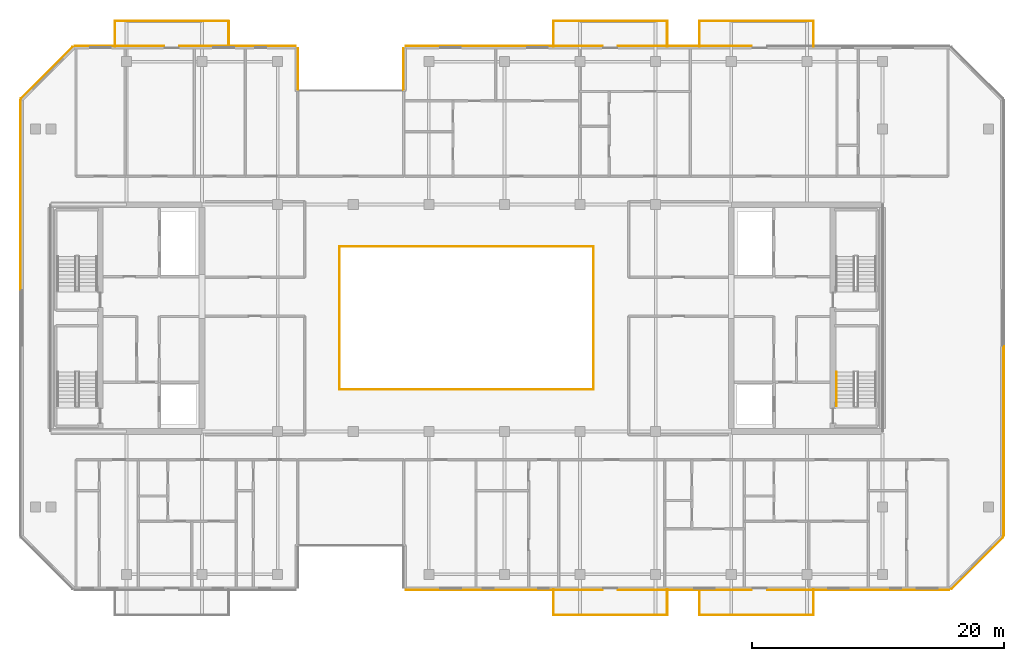
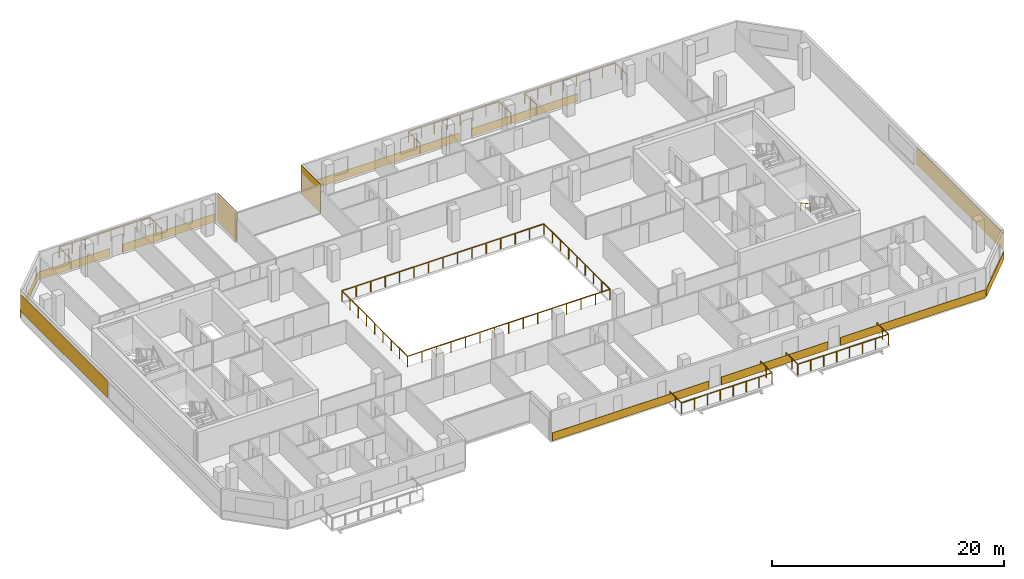
# One storey, part 15 of 16: 13 coverings, 8 railings.
"""IFC4 building model written with IfcOpenShell, lengths in metres."""

from ifc_helpers import new_model, si_unit, direction, frame, origin, origin_2d, place, context, subcontext, project, spatial, rectangle, extrude, material, layer, layer_set, type_object, element, save


model = new_model("IFC4")

# Units and contexts
model_context = context("Model", 3, precision=1e-05, world=origin(), true_north=direction((0.0, 1.0)))
body_context = subcontext(model_context, "Body", "Model", "MODEL_VIEW")
ifc_project = project(units=[si_unit("LENGTHUNIT", "METRE"), si_unit("AREAUNIT", "SQUARE_METRE"), si_unit("VOLUMEUNIT", "CUBIC_METRE"), si_unit("PLANEANGLEUNIT", "RADIAN"), si_unit("MASSUNIT", "GRAM", prefix="KILO")], contexts=[model_context])

# Site, building, storey
site_placement = place(None, origin())
site = spatial("IfcSite", under=ifc_project, at=site_placement, CompositionType="ELEMENT")
building_placement = place(site_placement, origin())
building = spatial("IfcBuilding", under=site, at=building_placement, Name="Tanjung Sevakor Pilgrim Tower", CompositionType="ELEMENT")
storey_placement = place(building_placement, frame((0.0, 0.0, 198.330078125)))
storey = spatial("IfcBuildingStorey", under=building, at=storey_placement, Name="L55", CompositionType="ELEMENT", Elevation=198.330078125)

# Coverings
ifc_material_1 = material(Name="Reconstructed Limestone Cladding", Category="masonry")
ifc_layer = layer(ifc_material_1, 0.044921875)
ifc_layer_set = layer_set([ifc_layer], Name="COV-CLAD-LIMESTONE")
covering_type = type_object("IfcCoveringType", Name="COV-CLAD-LIMESTONE", PredefinedType="CLADDING", material=ifc_layer_set)
covering_1_placement = place(storey_placement, frame((59.969970703125, 12.027587890625, 0.009765625), z_axis=(0.0, 0.0, 1.0), x_axis=(1.0, 0.0, 0.0)))
element("IfcCovering", 1, at=covering_1_placement, inside=storey, type_object=covering_type, Name="L55 Warm Limestone Sill Spandrel EW-L55-MAIN-5-1", PredefinedType="CLADDING", context=body_context, shape_type="SweptSolid", body=[
    extrude(rectangle(XDim=15.639892578125, YDim=0.044921875, at=origin_2d()), origin(), (0.0, 0.0, 1.0), 0.840087890625),
])
covering_2_placement = place(storey_placement, frame((74.324951171875, 12.027587890625, 0.009765625), z_axis=(0.0, 0.0, 1.0), x_axis=(1.0, 0.0, 0.0)))
element("IfcCovering", 2, at=covering_2_placement, inside=storey, type_object=covering_type, Name="L55 Warm Limestone Sill Spandrel EW-L55-MAIN-5-2", PredefinedType="CLADDING", context=body_context, shape_type="SweptSolid", body=[
    extrude(rectangle(XDim=10.6298828125, YDim=0.044921875, at=origin_2d()), origin(), (0.0, 0.0, 1.0), 0.840087890625),
])
covering_3_placement = place(storey_placement, frame((88.087158203125, 12.027587890625, 0.009765625), z_axis=(0.0, 0.0, 1.0), x_axis=(1.0, 0.0, 0.0)))
element("IfcCovering", 3, at=covering_3_placement, inside=storey, type_object=covering_type, Name="L55 Warm Limestone Sill Spandrel EW-L55-MAIN-5-3", PredefinedType="CLADDING", context=body_context, shape_type="SweptSolid", body=[
    extrude(rectangle(XDim=14.454345703125, YDim=0.044921875, at=origin_2d()), origin(), (0.0, 0.0, 1.0), 0.840087890625),
])
covering_4_placement = place(storey_placement, frame((97.515869140625, 14.134033203125, 0.009765625), z_axis=(0.0, 0.0, 1.0), x_axis=(0.707106781187, 0.707106781187, 0.0)))
element("IfcCovering", 4, at=covering_4_placement, inside=storey, type_object=covering_type, Name="L55 Warm Limestone Sill Spandrel EW-CHM-L55-MAIN-5-1", PredefinedType="CLADDING", context=body_context, shape_type="SweptSolid", body=[
    extrude(rectangle(XDim=5.7685546875, YDim=0.044921875, at=origin_2d()), origin(), (0.0, 0.0, 1.0), 0.840087890625),
])
covering_5_placement = place(storey_placement, frame((99.62255859375, 23.8427734375, 0.849853515625), z_axis=(0.0, 0.0, 1.0), x_axis=(0.0, 1.0, 0.0)))
element("IfcCovering", 5, at=covering_5_placement, inside=storey, type_object=covering_type, Name="L55 Warm Limestone Pier Panel EW-L55-MAIN-7-1", PredefinedType="CLADDING", context=body_context, shape_type="SweptSolid", body=[
    extrude(rectangle(XDim=15.014404296875, YDim=0.044921875, at=origin_2d()), origin(), (0.0, 0.0, 1.0), 1.81005859375),
])
covering_6_placement = place(storey_placement, frame((74.324951171875, 55.172607421875, 0.009765625), z_axis=(0.0, 0.0, 1.0), x_axis=(-1.0, 0.0, 0.0)))
element("IfcCovering", 6, at=covering_6_placement, inside=storey, type_object=covering_type, Name="L55 Warm Limestone Sill Spandrel EW-L55-MAIN-9-2", PredefinedType="CLADDING", context=body_context, shape_type="SweptSolid", body=[
    extrude(rectangle(XDim=10.6298828125, YDim=0.044921875, at=origin_2d()), origin(), (0.0, 0.0, 1.0), 0.840087890625),
])
covering_7_placement = place(storey_placement, frame((59.969970703125, 55.172607421875, 0.009765625), z_axis=(0.0, 0.0, 1.0), x_axis=(-1.0, 0.0, 0.0)))
element("IfcCovering", 7, at=covering_7_placement, inside=storey, type_object=covering_type, Name="L55 Warm Limestone Sill Spandrel EW-L55-MAIN-9-3", PredefinedType="CLADDING", context=body_context, shape_type="SweptSolid", body=[
    extrude(rectangle(XDim=15.639892578125, YDim=0.044921875, at=origin_2d()), origin(), (0.0, 0.0, 1.0), 0.840087890625),
])
for number, where, z_axis, x_axis, name in (
    (8, (51.9775390625, 53.340087890625, 0.02001953125), (0.0, 0.0, 1.0), (0.0, -1.0, 0.0), "L55 Warm Limestone Wall Cladding EW-L55-MAIN-10"),
    (9, (43.62255859375, 53.340087890625, 0.02001953125), (0.0, 0.0, 1.0), (0.0, 1.0, 0.0), "L55 Warm Limestone Wall Cladding EW-L55-MAIN-12"),
):
    element("IfcCovering", number, at=place(storey_placement, frame(where, z_axis=z_axis, x_axis=x_axis)), inside=storey, type_object=covering_type, Name=name, PredefinedType="CLADDING", context=body_context, shape_type="SweptSolid", body=[
        extrude(rectangle(XDim=3.360107421875, YDim=0.044921875, at=origin_2d()), origin(), (0.0, 0.0, 1.0), 3.0400390625),
    ])
covering_8_placement = place(storey_placement, frame((38.830078125, 55.172607421875, 0.009765625), z_axis=(0.0, 0.0, 1.0), x_axis=(-1.0, 0.0, 0.0)))
element("IfcCovering", 10, at=covering_8_placement, inside=storey, type_object=covering_type, Name="L55 Warm Limestone Sill Spandrel EW-L55-MAIN-13-1", PredefinedType="CLADDING", context=body_context, shape_type="SweptSolid", body=[
    extrude(rectangle(XDim=9.239990234375, YDim=0.044921875, at=origin_2d()), origin(), (0.0, 0.0, 1.0), 0.840087890625),
])
covering_9_placement = place(storey_placement, frame((29.437744140625, 55.172607421875, 0.009765625), z_axis=(0.0, 0.0, 1.0), x_axis=(-1.0, 0.0, 0.0)))
element("IfcCovering", 11, at=covering_9_placement, inside=storey, type_object=covering_type, Name="L55 Warm Limestone Sill Spandrel EW-L55-MAIN-13-2", PredefinedType="CLADDING", context=body_context, shape_type="SweptSolid", body=[
    extrude(rectangle(XDim=7.1044921875, YDim=0.044921875, at=origin_2d()), origin(), (0.0, 0.0, 1.0), 0.840087890625),
])
covering_10_placement = place(storey_placement, frame((23.68408203125, 53.06591796875, 0.009765625), z_axis=(0.0, 0.0, 1.0), x_axis=(-0.707106781187, -0.707106781187, 0.0)))
element("IfcCovering", 12, at=covering_10_placement, inside=storey, type_object=covering_type, Name="L55 Warm Limestone Sill Spandrel EW-CHM-L55-MAIN-13-1", PredefinedType="CLADDING", context=body_context, shape_type="SweptSolid", body=[
    extrude(rectangle(XDim=5.7685546875, YDim=0.044921875, at=origin_2d()), origin(), (0.0, 0.0, 1.0), 0.840087890625),
])
covering_11_placement = place(storey_placement, frame((21.577392578125, 43.357177734375, 0.849853515625), z_axis=(0.0, 0.0, 1.0), x_axis=(0.0, -1.0, 0.0)))
element("IfcCovering", 13, at=covering_11_placement, inside=storey, type_object=covering_type, Name="L55 Warm Limestone Pier Panel EW-L55-MAIN-15-1", PredefinedType="CLADDING", context=body_context, shape_type="SweptSolid", body=[
    extrude(rectangle(XDim=15.014404296875, YDim=0.044921875, at=origin_2d()), origin(), (0.0, 0.0, 1.0), 1.81005859375),
])

# Railings
ifc_material_2 = material(Name="Laminated Glass and Aluminium", Category="aluminium")
railing_type_1 = type_object("IfcRailingType", Name="RL-BAL-BALUST", PredefinedType="BALUSTRADE", material=ifc_material_2)
railing_1_placement = place(storey_placement, frame((46.919921875, 27.919921875, 0.0)))
element("IfcRailing", 14, at=railing_1_placement, inside=storey, type_object=railing_type_1, Name="L55 Void Opening Balustrade 1A", PredefinedType="BALUSTRADE", context=body_context, shape_type="SweptSolid", body=[
    extrude(rectangle(XDim=0.0479, YDim=0.0479), frame((0.0, 0.0, 1.1259765625), z_axis=(1.0, 0.0, 0.0), x_axis=(0.0, 1.0, 0.0)), (0.0, 0.0, 1.0), 20.16015625),
    extrude(rectangle(XDim=0.0479, YDim=0.0479), frame((20.16015625, 0.0, 1.1259765625), z_axis=(0.0, 1.0, 0.0), x_axis=(-1.0, 0.0, 0.0)), (0.0, 0.0, 1.0), 11.360107421875),
    extrude(rectangle(XDim=0.042, YDim=0.042), origin(), (0.0, 0.0, 1.0), 1.101806640625),
    extrude(rectangle(XDim=0.042, YDim=0.042), frame((1.43994140625, 0.0, 0.0)), (0.0, 0.0, 1.0), 1.101806640625),
    extrude(rectangle(XDim=0.042, YDim=0.042), frame((2.880126953125, 0.0, 0.0)), (0.0, 0.0, 1.0), 1.101806640625),
    extrude(rectangle(XDim=0.042, YDim=0.042), frame((4.320068359375, 0.0, 0.0)), (0.0, 0.0, 1.0), 1.101806640625),
    extrude(rectangle(XDim=0.042, YDim=0.042), frame((5.760009765625, 0.0, 0.0)), (0.0, 0.0, 1.0), 1.101806640625),
    extrude(rectangle(XDim=0.042, YDim=0.042), frame((7.199951171875, 0.0, 0.0)), (0.0, 0.0, 1.0), 1.101806640625),
    extrude(rectangle(XDim=0.042, YDim=0.042), frame((8.64013671875, 0.0, 0.0)), (0.0, 0.0, 1.0), 1.101806640625),
    extrude(rectangle(XDim=0.042, YDim=0.042), frame((10.080078125, 0.0, 0.0)), (0.0, 0.0, 1.0), 1.101806640625),
    extrude(rectangle(XDim=0.042, YDim=0.042), frame((11.52001953125, 0.0, 0.0)), (0.0, 0.0, 1.0), 1.101806640625),
    extrude(rectangle(XDim=0.042, YDim=0.042), frame((12.960205078125, 0.0, 0.0)), (0.0, 0.0, 1.0), 1.101806640625),
    extrude(rectangle(XDim=0.042, YDim=0.042), frame((14.400146484375, 0.0, 0.0)), (0.0, 0.0, 1.0), 1.101806640625),
    extrude(rectangle(XDim=0.042, YDim=0.042), frame((15.840087890625, 0.0, 0.0)), (0.0, 0.0, 1.0), 1.101806640625),
    extrude(rectangle(XDim=0.042, YDim=0.042), frame((17.280029296875, 0.0, 0.0)), (0.0, 0.0, 1.0), 1.101806640625),
    extrude(rectangle(XDim=0.042, YDim=0.042), frame((18.72021484375, 0.0, 0.0)), (0.0, 0.0, 1.0), 1.101806640625),
    extrude(rectangle(XDim=0.042, YDim=0.042), frame((20.16015625, 0.0, 0.0)), (0.0, 0.0, 1.0), 1.101806640625),
    extrude(rectangle(XDim=0.042, YDim=0.042), frame((20.16015625, 1.419921875, 0.0)), (0.0, 0.0, 1.0), 1.101806640625),
    extrude(rectangle(XDim=0.042, YDim=0.042), frame((20.16015625, 2.840087890625, 0.0)), (0.0, 0.0, 1.0), 1.101806640625),
    extrude(rectangle(XDim=0.042, YDim=0.042), frame((20.16015625, 4.260009765625, 0.0)), (0.0, 0.0, 1.0), 1.101806640625),
    extrude(rectangle(XDim=0.042, YDim=0.042), frame((20.16015625, 5.68017578125, 0.0)), (0.0, 0.0, 1.0), 1.101806640625),
    extrude(rectangle(XDim=0.042, YDim=0.042), frame((20.16015625, 7.10009765625, 0.0)), (0.0, 0.0, 1.0), 1.101806640625),
    extrude(rectangle(XDim=0.042, YDim=0.042), frame((20.16015625, 8.52001953125, 0.0)), (0.0, 0.0, 1.0), 1.101806640625),
    extrude(rectangle(XDim=0.042, YDim=0.042), frame((20.16015625, 9.940185546875, 0.0)), (0.0, 0.0, 1.0), 1.101806640625),
    extrude(rectangle(XDim=0.042, YDim=0.042), frame((20.16015625, 11.360107421875, 0.0)), (0.0, 0.0, 1.0), 1.101806640625),
])
railing_2_placement = place(storey_placement, frame((67.080078125, 39.280029296875, 0.0)))
element("IfcRailing", 15, at=railing_2_placement, inside=storey, type_object=railing_type_1, Name="L55 Void Opening Balustrade 1B", PredefinedType="BALUSTRADE", context=body_context, shape_type="SweptSolid", body=[
    extrude(rectangle(XDim=0.0479, YDim=0.0479), frame((0.0, 0.0, 1.1259765625), z_axis=(-1.0, 0.0, 0.0), x_axis=(0.0, -1.0, 0.0)), (0.0, 0.0, 1.0), 20.16015625),
    extrude(rectangle(XDim=0.0479, YDim=0.0479), frame((-20.16015625, 0.0, 1.1259765625), z_axis=(0.0, -1.0, 0.0), x_axis=(1.0, 0.0, 0.0)), (0.0, 0.0, 1.0), 11.360107421875),
    extrude(rectangle(XDim=0.042, YDim=0.042), origin(), (0.0, 0.0, 1.0), 1.101806640625),
    extrude(rectangle(XDim=0.042, YDim=0.042), frame((-1.43994140625, 0.0, 0.0)), (0.0, 0.0, 1.0), 1.101806640625),
    extrude(rectangle(XDim=0.042, YDim=0.042), frame((-2.880126953125, 0.0, 0.0)), (0.0, 0.0, 1.0), 1.101806640625),
    extrude(rectangle(XDim=0.042, YDim=0.042), frame((-4.320068359375, 0.0, 0.0)), (0.0, 0.0, 1.0), 1.101806640625),
    extrude(rectangle(XDim=0.042, YDim=0.042), frame((-5.760009765625, 0.0, 0.0)), (0.0, 0.0, 1.0), 1.101806640625),
    extrude(rectangle(XDim=0.042, YDim=0.042), frame((-7.199951171875, 0.0, 0.0)), (0.0, 0.0, 1.0), 1.101806640625),
    extrude(rectangle(XDim=0.042, YDim=0.042), frame((-8.64013671875, 0.0, 0.0)), (0.0, 0.0, 1.0), 1.101806640625),
    extrude(rectangle(XDim=0.042, YDim=0.042), frame((-10.080078125, 0.0, 0.0)), (0.0, 0.0, 1.0), 1.101806640625),
    extrude(rectangle(XDim=0.042, YDim=0.042), frame((-11.52001953125, 0.0, 0.0)), (0.0, 0.0, 1.0), 1.101806640625),
    extrude(rectangle(XDim=0.042, YDim=0.042), frame((-12.960205078125, 0.0, 0.0)), (0.0, 0.0, 1.0), 1.101806640625),
    extrude(rectangle(XDim=0.042, YDim=0.042), frame((-14.400146484375, 0.0, 0.0)), (0.0, 0.0, 1.0), 1.101806640625),
    extrude(rectangle(XDim=0.042, YDim=0.042), frame((-15.840087890625, 0.0, 0.0)), (0.0, 0.0, 1.0), 1.101806640625),
    extrude(rectangle(XDim=0.042, YDim=0.042), frame((-17.280029296875, 0.0, 0.0)), (0.0, 0.0, 1.0), 1.101806640625),
    extrude(rectangle(XDim=0.042, YDim=0.042), frame((-18.72021484375, 0.0, 0.0)), (0.0, 0.0, 1.0), 1.101806640625),
    extrude(rectangle(XDim=0.042, YDim=0.042), frame((-20.16015625, 0.0, 0.0)), (0.0, 0.0, 1.0), 1.101806640625),
    extrude(rectangle(XDim=0.042, YDim=0.042), frame((-20.16015625, -1.419921875, 0.0)), (0.0, 0.0, 1.0), 1.101806640625),
    extrude(rectangle(XDim=0.042, YDim=0.042), frame((-20.16015625, -2.840087890625, 0.0)), (0.0, 0.0, 1.0), 1.101806640625),
    extrude(rectangle(XDim=0.042, YDim=0.042), frame((-20.16015625, -4.260009765625, 0.0)), (0.0, 0.0, 1.0), 1.101806640625),
    extrude(rectangle(XDim=0.042, YDim=0.042), frame((-20.16015625, -5.68017578125, 0.0)), (0.0, 0.0, 1.0), 1.101806640625),
    extrude(rectangle(XDim=0.042, YDim=0.042), frame((-20.16015625, -7.10009765625, 0.0)), (0.0, 0.0, 1.0), 1.101806640625),
    extrude(rectangle(XDim=0.042, YDim=0.042), frame((-20.16015625, -8.52001953125, 0.0)), (0.0, 0.0, 1.0), 1.101806640625),
    extrude(rectangle(XDim=0.042, YDim=0.042), frame((-20.16015625, -9.940185546875, 0.0)), (0.0, 0.0, 1.0), 1.101806640625),
    extrude(rectangle(XDim=0.042, YDim=0.042), frame((-20.16015625, -11.360107421875, 0.0)), (0.0, 0.0, 1.0), 1.101806640625),
])
railing_3_placement = place(storey_placement, frame((29.080078125, 55.14990234375, 0.0)))
element("IfcRailing", 16, at=railing_3_placement, inside=storey, type_object=railing_type_1, Name="L55 Loggia Balustrade MAIN-N1", PredefinedType="BALUSTRADE", context=body_context, shape_type="SweptSolid", body=[
    extrude(rectangle(XDim=0.0479, YDim=0.0479), frame((0.0, 0.0, 1.1259765625), z_axis=(0.0, 1.0, 0.0), x_axis=(-1.0, 0.0, 0.0)), (0.0, 0.0, 1.0), 2.02001953125),
    extrude(rectangle(XDim=0.0479, YDim=0.0479), frame((0.0, 2.02001953125, 1.1259765625), z_axis=(1.0, 0.0, 0.0), x_axis=(0.0, 1.0, 0.0)), (0.0, 0.0, 1.0), 9.0400390625),
    extrude(rectangle(XDim=0.0479, YDim=0.0479), frame((9.0400390625, 2.02001953125, 1.1259765625), z_axis=(0.0, -1.0, 0.0), x_axis=(1.0, 0.0, 0.0)), (0.0, 0.0, 1.0), 2.02001953125),
    extrude(rectangle(XDim=0.042, YDim=0.042), origin(), (0.0, 0.0, 1.0), 1.101806640625),
    extrude(rectangle(XDim=0.042, YDim=0.042), frame((0.0, 1.010009765625, 0.0)), (0.0, 0.0, 1.0), 1.101806640625),
    extrude(rectangle(XDim=0.042, YDim=0.042), frame((0.0, 2.02001953125, 0.0)), (0.0, 0.0, 1.0), 1.101806640625),
    extrude(rectangle(XDim=0.042, YDim=0.042), frame((1.29150390625, 2.02001953125, 0.0)), (0.0, 0.0, 1.0), 1.101806640625),
    extrude(rectangle(XDim=0.042, YDim=0.042), frame((2.582763671875, 2.02001953125, 0.0)), (0.0, 0.0, 1.0), 1.101806640625),
    extrude(rectangle(XDim=0.042, YDim=0.042), frame((3.874267578125, 2.02001953125, 0.0)), (0.0, 0.0, 1.0), 1.101806640625),
    extrude(rectangle(XDim=0.042, YDim=0.042), frame((5.165771484375, 2.02001953125, 0.0)), (0.0, 0.0, 1.0), 1.101806640625),
    extrude(rectangle(XDim=0.042, YDim=0.042), frame((6.457275390625, 2.02001953125, 0.0)), (0.0, 0.0, 1.0), 1.101806640625),
    extrude(rectangle(XDim=0.042, YDim=0.042), frame((7.74853515625, 2.02001953125, 0.0)), (0.0, 0.0, 1.0), 1.101806640625),
    extrude(rectangle(XDim=0.042, YDim=0.042), frame((9.0400390625, 2.02001953125, 0.0)), (0.0, 0.0, 1.0), 1.101806640625),
    extrude(rectangle(XDim=0.042, YDim=0.042), frame((9.0400390625, 1.010009765625, 0.0)), (0.0, 0.0, 1.0), 1.101806640625),
    extrude(rectangle(XDim=0.042, YDim=0.042), frame((9.0400390625, 0.0, 0.0)), (0.0, 0.0, 1.0), 1.101806640625),
])
railing_4_placement = place(storey_placement, frame((63.8798828125, 12.050048828125, 0.0)))
element("IfcRailing", 17, at=railing_4_placement, inside=storey, type_object=railing_type_1, Name="L55 Loggia Balustrade MAIN-S2", PredefinedType="BALUSTRADE", context=body_context, shape_type="SweptSolid", body=[
    extrude(rectangle(XDim=0.0479, YDim=0.0479), frame((0.0, 0.0, 1.1259765625), z_axis=(0.0, -1.0, 0.0), x_axis=(1.0, 0.0, 0.0)), (0.0, 0.0, 1.0), 2.02001953125),
    extrude(rectangle(XDim=0.0479, YDim=0.0479), frame((0.0, -2.02001953125, 1.1259765625), z_axis=(1.0, 0.0, 0.0), x_axis=(0.0, 1.0, 0.0)), (0.0, 0.0, 1.0), 9.0400390625),
    extrude(rectangle(XDim=0.0479, YDim=0.0479), frame((9.0400390625, -2.02001953125, 1.1259765625), z_axis=(0.0, 1.0, 0.0), x_axis=(-1.0, 0.0, 0.0)), (0.0, 0.0, 1.0), 2.02001953125),
    extrude(rectangle(XDim=0.042, YDim=0.042), origin(), (0.0, 0.0, 1.0), 1.101806640625),
    extrude(rectangle(XDim=0.042, YDim=0.042), frame((0.0, -1.010009765625, 0.0)), (0.0, 0.0, 1.0), 1.101806640625),
    extrude(rectangle(XDim=0.042, YDim=0.042), frame((0.0, -2.02001953125, 0.0)), (0.0, 0.0, 1.0), 1.101806640625),
    extrude(rectangle(XDim=0.042, YDim=0.042), frame((1.29150390625, -2.02001953125, 0.0)), (0.0, 0.0, 1.0), 1.101806640625),
    extrude(rectangle(XDim=0.042, YDim=0.042), frame((2.582763671875, -2.02001953125, 0.0)), (0.0, 0.0, 1.0), 1.101806640625),
    extrude(rectangle(XDim=0.042, YDim=0.042), frame((3.874267578125, -2.02001953125, 0.0)), (0.0, 0.0, 1.0), 1.101806640625),
    extrude(rectangle(XDim=0.042, YDim=0.042), frame((5.165771484375, -2.02001953125, 0.0)), (0.0, 0.0, 1.0), 1.101806640625),
    extrude(rectangle(XDim=0.042, YDim=0.042), frame((6.457275390625, -2.02001953125, 0.0)), (0.0, 0.0, 1.0), 1.101806640625),
    extrude(rectangle(XDim=0.042, YDim=0.042), frame((7.74853515625, -2.02001953125, 0.0)), (0.0, 0.0, 1.0), 1.101806640625),
    extrude(rectangle(XDim=0.042, YDim=0.042), frame((9.0400390625, -2.02001953125, 0.0)), (0.0, 0.0, 1.0), 1.101806640625),
    extrude(rectangle(XDim=0.042, YDim=0.042), frame((9.0400390625, -1.010009765625, 0.0)), (0.0, 0.0, 1.0), 1.101806640625),
    extrude(rectangle(XDim=0.042, YDim=0.042), frame((9.0400390625, 0.0, 0.0)), (0.0, 0.0, 1.0), 1.101806640625),
])
railing_5_placement = place(storey_placement, frame((63.8798828125, 55.14990234375, 0.0)))
element("IfcRailing", 18, at=railing_5_placement, inside=storey, type_object=railing_type_1, Name="L55 Loggia Balustrade MAIN-N2", PredefinedType="BALUSTRADE", context=body_context, shape_type="SweptSolid", body=[
    extrude(rectangle(XDim=0.0479, YDim=0.0479), frame((0.0, 0.0, 1.1259765625), z_axis=(0.0, 1.0, 0.0), x_axis=(-1.0, 0.0, 0.0)), (0.0, 0.0, 1.0), 2.02001953125),
    extrude(rectangle(XDim=0.0479, YDim=0.0479), frame((0.0, 2.02001953125, 1.1259765625), z_axis=(1.0, 0.0, 0.0), x_axis=(0.0, 1.0, 0.0)), (0.0, 0.0, 1.0), 9.0400390625),
    extrude(rectangle(XDim=0.0479, YDim=0.0479), frame((9.0400390625, 2.02001953125, 1.1259765625), z_axis=(0.0, -1.0, 0.0), x_axis=(1.0, 0.0, 0.0)), (0.0, 0.0, 1.0), 2.02001953125),
    extrude(rectangle(XDim=0.042, YDim=0.042), origin(), (0.0, 0.0, 1.0), 1.101806640625),
    extrude(rectangle(XDim=0.042, YDim=0.042), frame((0.0, 1.010009765625, 0.0)), (0.0, 0.0, 1.0), 1.101806640625),
    extrude(rectangle(XDim=0.042, YDim=0.042), frame((0.0, 2.02001953125, 0.0)), (0.0, 0.0, 1.0), 1.101806640625),
    extrude(rectangle(XDim=0.042, YDim=0.042), frame((1.29150390625, 2.02001953125, 0.0)), (0.0, 0.0, 1.0), 1.101806640625),
    extrude(rectangle(XDim=0.042, YDim=0.042), frame((2.582763671875, 2.02001953125, 0.0)), (0.0, 0.0, 1.0), 1.101806640625),
    extrude(rectangle(XDim=0.042, YDim=0.042), frame((3.874267578125, 2.02001953125, 0.0)), (0.0, 0.0, 1.0), 1.101806640625),
    extrude(rectangle(XDim=0.042, YDim=0.042), frame((5.165771484375, 2.02001953125, 0.0)), (0.0, 0.0, 1.0), 1.101806640625),
    extrude(rectangle(XDim=0.042, YDim=0.042), frame((6.457275390625, 2.02001953125, 0.0)), (0.0, 0.0, 1.0), 1.101806640625),
    extrude(rectangle(XDim=0.042, YDim=0.042), frame((7.74853515625, 2.02001953125, 0.0)), (0.0, 0.0, 1.0), 1.101806640625),
    extrude(rectangle(XDim=0.042, YDim=0.042), frame((9.0400390625, 2.02001953125, 0.0)), (0.0, 0.0, 1.0), 1.101806640625),
    extrude(rectangle(XDim=0.042, YDim=0.042), frame((9.0400390625, 1.010009765625, 0.0)), (0.0, 0.0, 1.0), 1.101806640625),
    extrude(rectangle(XDim=0.042, YDim=0.042), frame((9.0400390625, 0.0, 0.0)), (0.0, 0.0, 1.0), 1.101806640625),
])
railing_6_placement = place(storey_placement, frame((75.47998046875, 12.050048828125, 0.0)))
element("IfcRailing", 19, at=railing_6_placement, inside=storey, type_object=railing_type_1, Name="L55 Loggia Balustrade MAIN-S3", PredefinedType="BALUSTRADE", context=body_context, shape_type="SweptSolid", body=[
    extrude(rectangle(XDim=0.0479, YDim=0.0479), frame((0.0, 0.0, 1.1259765625), z_axis=(0.0, -1.0, 0.0), x_axis=(1.0, 0.0, 0.0)), (0.0, 0.0, 1.0), 2.02001953125),
    extrude(rectangle(XDim=0.0479, YDim=0.0479), frame((0.0, -2.02001953125, 1.1259765625), z_axis=(1.0, 0.0, 0.0), x_axis=(0.0, 1.0, 0.0)), (0.0, 0.0, 1.0), 9.0400390625),
    extrude(rectangle(XDim=0.0479, YDim=0.0479), frame((9.0400390625, -2.02001953125, 1.1259765625), z_axis=(0.0, 1.0, 0.0), x_axis=(-1.0, 0.0, 0.0)), (0.0, 0.0, 1.0), 2.02001953125),
    extrude(rectangle(XDim=0.042, YDim=0.042), origin(), (0.0, 0.0, 1.0), 1.101806640625),
    extrude(rectangle(XDim=0.042, YDim=0.042), frame((0.0, -1.010009765625, 0.0)), (0.0, 0.0, 1.0), 1.101806640625),
    extrude(rectangle(XDim=0.042, YDim=0.042), frame((0.0, -2.02001953125, 0.0)), (0.0, 0.0, 1.0), 1.101806640625),
    extrude(rectangle(XDim=0.042, YDim=0.042), frame((1.29150390625, -2.02001953125, 0.0)), (0.0, 0.0, 1.0), 1.101806640625),
    extrude(rectangle(XDim=0.042, YDim=0.042), frame((2.582763671875, -2.02001953125, 0.0)), (0.0, 0.0, 1.0), 1.101806640625),
    extrude(rectangle(XDim=0.042, YDim=0.042), frame((3.874267578125, -2.02001953125, 0.0)), (0.0, 0.0, 1.0), 1.101806640625),
    extrude(rectangle(XDim=0.042, YDim=0.042), frame((5.165771484375, -2.02001953125, 0.0)), (0.0, 0.0, 1.0), 1.101806640625),
    extrude(rectangle(XDim=0.042, YDim=0.042), frame((6.457275390625, -2.02001953125, 0.0)), (0.0, 0.0, 1.0), 1.101806640625),
    extrude(rectangle(XDim=0.042, YDim=0.042), frame((7.74853515625, -2.02001953125, 0.0)), (0.0, 0.0, 1.0), 1.101806640625),
    extrude(rectangle(XDim=0.042, YDim=0.042), frame((9.0400390625, -2.02001953125, 0.0)), (0.0, 0.0, 1.0), 1.101806640625),
    extrude(rectangle(XDim=0.042, YDim=0.042), frame((9.0400390625, -1.010009765625, 0.0)), (0.0, 0.0, 1.0), 1.101806640625),
    extrude(rectangle(XDim=0.042, YDim=0.042), frame((9.0400390625, 0.0, 0.0)), (0.0, 0.0, 1.0), 1.101806640625),
])
railing_7_placement = place(storey_placement, frame((75.47998046875, 55.14990234375, 0.0)))
element("IfcRailing", 20, at=railing_7_placement, inside=storey, type_object=railing_type_1, Name="L55 Loggia Balustrade MAIN-N3", PredefinedType="BALUSTRADE", context=body_context, shape_type="SweptSolid", body=[
    extrude(rectangle(XDim=0.0479, YDim=0.0479), frame((0.0, 0.0, 1.1259765625), z_axis=(0.0, 1.0, 0.0), x_axis=(-1.0, 0.0, 0.0)), (0.0, 0.0, 1.0), 2.02001953125),
    extrude(rectangle(XDim=0.0479, YDim=0.0479), frame((0.0, 2.02001953125, 1.1259765625), z_axis=(1.0, 0.0, 0.0), x_axis=(0.0, 1.0, 0.0)), (0.0, 0.0, 1.0), 9.0400390625),
    extrude(rectangle(XDim=0.0479, YDim=0.0479), frame((9.0400390625, 2.02001953125, 1.1259765625), z_axis=(0.0, -1.0, 0.0), x_axis=(1.0, 0.0, 0.0)), (0.0, 0.0, 1.0), 2.02001953125),
    extrude(rectangle(XDim=0.042, YDim=0.042), origin(), (0.0, 0.0, 1.0), 1.101806640625),
    extrude(rectangle(XDim=0.042, YDim=0.042), frame((0.0, 1.010009765625, 0.0)), (0.0, 0.0, 1.0), 1.101806640625),
    extrude(rectangle(XDim=0.042, YDim=0.042), frame((0.0, 2.02001953125, 0.0)), (0.0, 0.0, 1.0), 1.101806640625),
    extrude(rectangle(XDim=0.042, YDim=0.042), frame((1.29150390625, 2.02001953125, 0.0)), (0.0, 0.0, 1.0), 1.101806640625),
    extrude(rectangle(XDim=0.042, YDim=0.042), frame((2.582763671875, 2.02001953125, 0.0)), (0.0, 0.0, 1.0), 1.101806640625),
    extrude(rectangle(XDim=0.042, YDim=0.042), frame((3.874267578125, 2.02001953125, 0.0)), (0.0, 0.0, 1.0), 1.101806640625),
    extrude(rectangle(XDim=0.042, YDim=0.042), frame((5.165771484375, 2.02001953125, 0.0)), (0.0, 0.0, 1.0), 1.101806640625),
    extrude(rectangle(XDim=0.042, YDim=0.042), frame((6.457275390625, 2.02001953125, 0.0)), (0.0, 0.0, 1.0), 1.101806640625),
    extrude(rectangle(XDim=0.042, YDim=0.042), frame((7.74853515625, 2.02001953125, 0.0)), (0.0, 0.0, 1.0), 1.101806640625),
    extrude(rectangle(XDim=0.042, YDim=0.042), frame((9.0400390625, 2.02001953125, 0.0)), (0.0, 0.0, 1.0), 1.101806640625),
    extrude(rectangle(XDim=0.042, YDim=0.042), frame((9.0400390625, 1.010009765625, 0.0)), (0.0, 0.0, 1.0), 1.101806640625),
    extrude(rectangle(XDim=0.042, YDim=0.042), frame((9.0400390625, 0.0, 0.0)), (0.0, 0.0, 1.0), 1.101806640625),
])
ifc_material_3 = material(Name="Steel S355J2", Category="steel")
railing_type_2 = type_object("IfcRailingType", Name="RL-STAIR-HAND", PredefinedType="HANDRAIL", material=ifc_material_3)
railing_8_placement = place(storey_placement, frame((86.35009765625, 29.300048828125, 1.81494140625)))
element("IfcRailing", 21, at=railing_8_placement, inside=storey, type_object=railing_type_2, Name="L55 TS-E1 stair handrail 2", PredefinedType="HANDRAIL", context=body_context, shape_type="SweptSolid", body=[
    extrude(rectangle(XDim=0.0479, YDim=0.0479), frame((0.0, 0.0, 0.8759765625), z_axis=(0.0, -0.876230963923, 0.481891375584), x_axis=(1.0, 0.0, 0.0)), (0.0, 0.0, 1.0), 3.081298828125),
    extrude(rectangle(XDim=0.042, YDim=0.042), origin(), (0.0, 0.0, 1.0), 0.851806640625),
    extrude(rectangle(XDim=0.042, YDim=0.042), frame((0.0, -0.89990234375, 0.494873046875)), (0.0, 0.0, 1.0), 0.851806640625),
    extrude(rectangle(XDim=0.042, YDim=0.042), frame((0.0, -1.800048828125, 0.989990234375)), (0.0, 0.0, 1.0), 0.851806640625),
    extrude(rectangle(XDim=0.042, YDim=0.042), frame((0.0, -2.699951171875, 1.48486328125)), (0.0, 0.0, 1.0), 0.851806640625),
])

save(model, "model.ifc")
